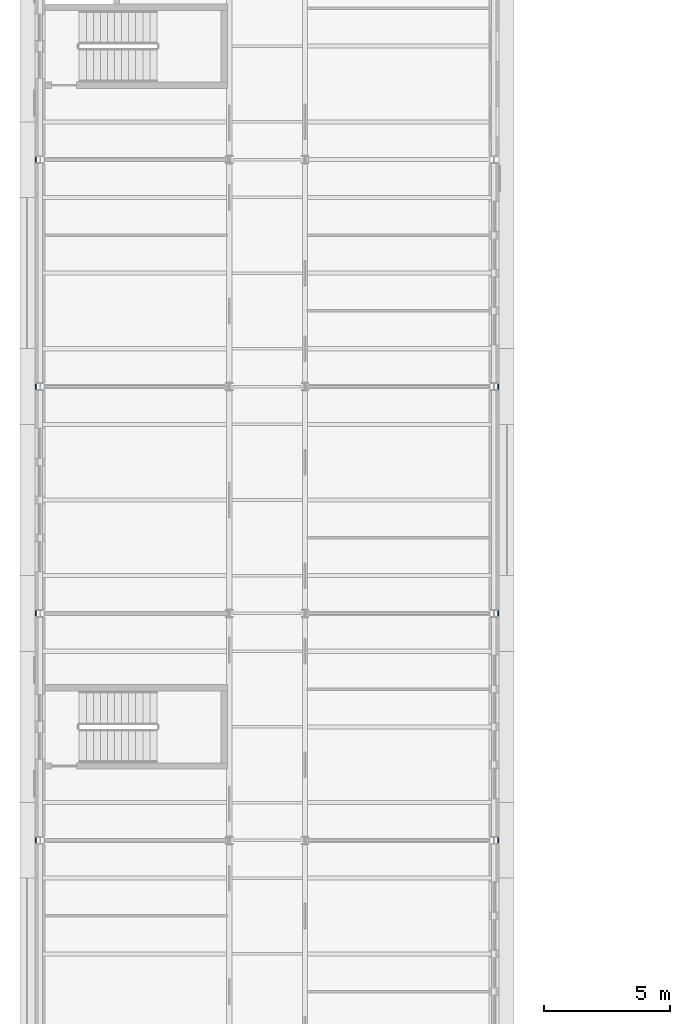
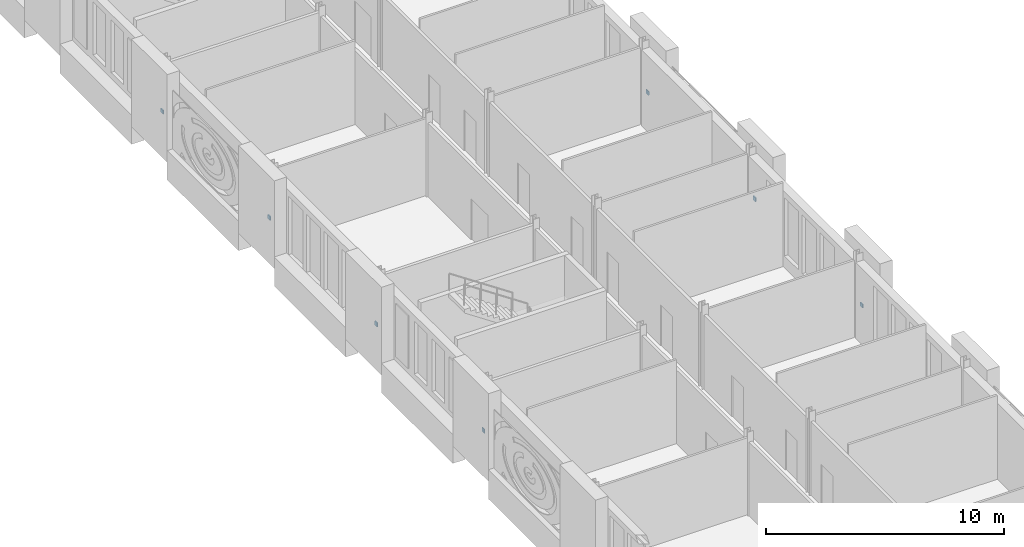
# One storey, part 99 of 131: 7 discrete accessories.
"""IFC4 building model written with IfcOpenShell, lengths in metres."""

from ifc_helpers import new_model, si_unit, direction, frame, origin, origin_2d, place, context, subcontext, project, spatial, rectangle, extrude, material, type_object, element, save


model = new_model("IFC4")

# Units and contexts
model_context = context("Model", 3, precision=1e-05, world=origin(), true_north=direction((0.0, 1.0)))
body_context = subcontext(model_context, "Body", "Model", "MODEL_VIEW")
ifc_project = project(units=[si_unit("LENGTHUNIT", "METRE"), si_unit("AREAUNIT", "SQUARE_METRE"), si_unit("VOLUMEUNIT", "CUBIC_METRE"), si_unit("PLANEANGLEUNIT", "RADIAN"), si_unit("MASSUNIT", "GRAM", prefix="KILO")], contexts=[model_context])

# Site, building, storey
site_placement = place(None, origin())
site = spatial("IfcSite", under=ifc_project, at=site_placement, CompositionType="ELEMENT")
building_placement = place(site_placement, origin())
building = spatial("IfcBuilding", under=site, at=building_placement, Name="Golden Quay Civic Hall", CompositionType="ELEMENT")
storey_placement = place(building_placement, frame((0.0, 0.0, 9.89990234375)))
storey = spatial("IfcBuildingStorey", under=building, at=storey_placement, Name="L02", CompositionType="ELEMENT", Elevation=9.89990234375)

# Discrete accessories
ifc_material = material(Name="Steel S355", Category="steel")
discrete_accessory_type = type_object("IfcDiscreteAccessoryType", Name="Pier fixing bracket 200 x 200", PredefinedType="BRACKET", material=ifc_material)
for number, where, z_axis, x_axis, name in (
    (1, (-0.175048828125, 27.0, 1.39990234375), (0.0, 0.0, 1.0), (0.0, -1.0, 0.0), "Pier fixing bracket 200 x 200 L02 3"),
    (2, (-0.175048828125, 36.0, 1.39990234375), (0.0, 0.0, 1.0), (0.0, -1.0, 0.0), "Pier fixing bracket 200 x 200 L02 4"),
    (3, (-0.175048828125, 45.0, 1.39990234375), (0.0, 0.0, 1.0), (0.0, -1.0, 0.0), "Pier fixing bracket 200 x 200 L02 5"),
    (4, (-0.175048828125, 54.0, 1.39990234375), (0.0, 0.0, 1.0), (0.0, -1.0, 0.0), "Pier fixing bracket 200 x 200 L02 6"),
    (5, (18.175048828125, 27.0, 1.39990234375), (0.0, 0.0, 1.0), (0.0, 1.0, 0.0), "Pier fixing bracket 200 x 200 L02 11"),
    (6, (18.175048828125, 36.0, 1.39990234375), (0.0, 0.0, 1.0), (0.0, 1.0, 0.0), "Pier fixing bracket 200 x 200 L02 12"),
    (7, (18.175048828125, 45.0, 1.39990234375), (0.0, 0.0, 1.0), (0.0, 1.0, 0.0), "Pier fixing bracket 200 x 200 L02 13"),
):
    element("IfcDiscreteAccessory", number, at=place(storey_placement, frame(where, z_axis=z_axis, x_axis=x_axis)), inside=storey, type_object=discrete_accessory_type, Name=name, PredefinedType="BRACKET", context=body_context, shape_type="SweptSolid", body=[
        extrude(rectangle(XDim=0.199951171875, YDim=0.050048828125, at=origin_2d()), origin(), (0.0, 0.0, 1.0), 0.199951171875),
    ])

save(model, "model.ifc")
